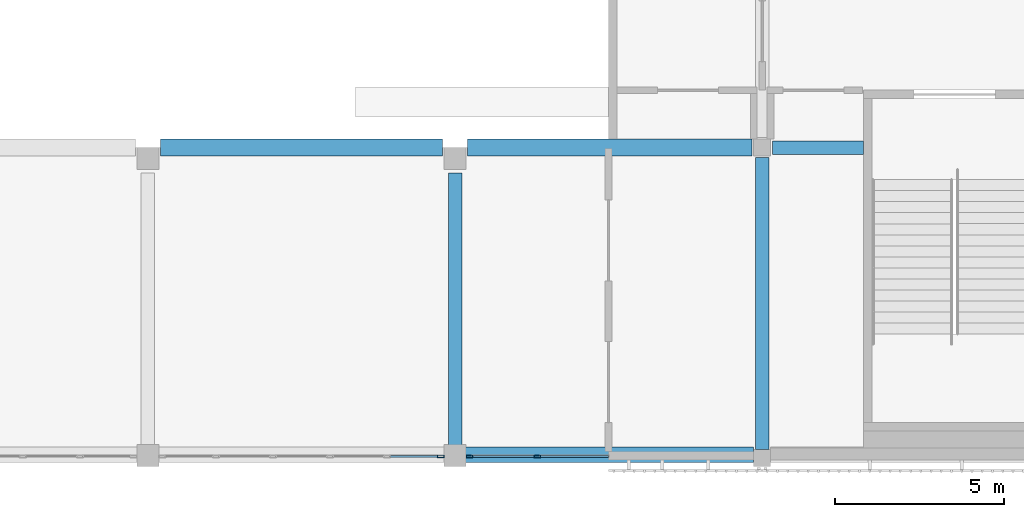
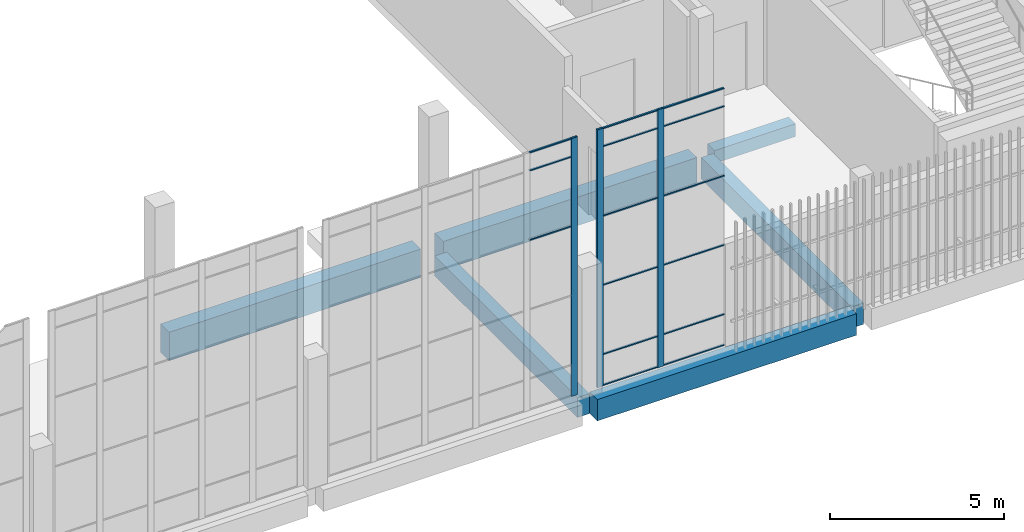
# One storey, part 14 of 91: 18 members, 6 beams, 2 elements without a shape of their own.
"""IFC4 building model written with IfcOpenShell, lengths in metres."""

import ifcopenshell
import ifcopenshell.guid

model = None  # the IFC model being written
_history = None  # IfcOwnerHistory: only IFC2X3 demands one
_inside = {}  # id of a spatial element -> (the spatial element, [elements in it])
_under = {}  # id of a project, library or spatial element -> (it, [spatial elements below it])
_declared = {}  # id of a project -> (the project, [libraries it declares])
_typed = {}  # id of a type object -> (the type object, [elements of that type])
_made_of = {}  # id of a material, layer set ... -> (it, [elements and type objects made of it])


def new_model(schema):
    """Start an empty IFC model of exactly this schema.

    Asked for "IFC4X3", IfcOpenShell would pick the latest addendum, in which some entities
    have other attributes; the version numbers below select the first issue.
    IFC2X3 requires an IfcOwnerHistory on every rooted entity: one is made here for all.
    """
    global model, _history
    if schema == "IFC4X3":
        model = ifcopenshell.file(schema_version=(4, 3, 0, 0))
    else:
        model = ifcopenshell.file(schema=schema)
    _inside.clear()
    _under.clear()
    _declared.clear()
    _typed.clear()
    _made_of.clear()
    _history = None
    if model.schema == "IFC2X3":
        org = make("IfcOrganization", Name="unknown")
        user = make(
            "IfcPersonAndOrganization",
            ThePerson=make("IfcPerson", FamilyName="unknown"),
            TheOrganization=org,
        )
        app = make(
            "IfcApplication",
            ApplicationDeveloper=org,
            Version="unknown",
            ApplicationFullName="unknown",
            ApplicationIdentifier="unknown",
        )
        _history = make(
            "IfcOwnerHistory",
            OwningUser=user,
            OwningApplication=app,
            ChangeAction="ADDED",
            CreationDate=0,
        )
    return model


def make(cls, **values):
    """One entity of the class cls with the attributes given. An attribute that is None is left unset."""
    return model.create_entity(
        cls, **{name: value for name, value in values.items() if value is not None}
    )


def rooted(cls, **values):
    """An entity with a GlobalId (a new one), such as an element, a storey or a relation."""
    return make(cls, GlobalId=ifcopenshell.guid.new(), OwnerHistory=_history, **values)


def si_unit(unit_type, name, prefix=None):
    """IfcSIUnit, for example si_unit("LENGTHUNIT", "METRE", prefix="MILLI")."""
    return make("IfcSIUnit", UnitType=unit_type, Prefix=prefix, Name=name)


def assignment(units):
    """IfcUnitAssignment: the units of a project."""
    return None if units is None else make("IfcUnitAssignment", Units=units)


def point(xyz):
    """IfcCartesianPoint."""
    return None if xyz is None else make("IfcCartesianPoint", Coordinates=xyz)


def direction(xyz):
    """IfcDirection."""
    return None if xyz is None else make("IfcDirection", DirectionRatios=xyz)


def frame(location, z_axis=None, x_axis=None):
    """IfcAxis2Placement3D, a coordinate frame: its origin and axes. An axis left out is left unset."""
    return make(
        "IfcAxis2Placement3D",
        Location=point(location),
        Axis=direction(z_axis),
        RefDirection=direction(x_axis),
    )


def frame_2d(location, x_axis=None):
    """IfcAxis2Placement2D, a coordinate frame in the plane: its origin and x axis."""
    return make(
        "IfcAxis2Placement2D", Location=point(location), RefDirection=direction(x_axis)
    )


def origin():
    """The frame at (0, 0, 0) with its axes left unset."""
    return frame((0.0, 0.0, 0.0))


def origin_2d():
    """The frame at (0, 0) in the plane with its x axis left unset."""
    return frame_2d((0.0, 0.0))


def place(relative_to, where):
    """IfcLocalPlacement: puts the frame where relative to a parent placement (None: the world)."""
    return make(
        "IfcLocalPlacement", PlacementRelTo=relative_to, RelativePlacement=where
    )


def context(
    kind, dimensions, precision=None, world=None, true_north=None, identifier=None
):
    """IfcGeometricRepresentationContext, for example the 3D "Model" context."""
    return make(
        "IfcGeometricRepresentationContext",
        ContextIdentifier=identifier,
        ContextType=kind,
        CoordinateSpaceDimension=dimensions,
        Precision=precision,
        WorldCoordinateSystem=world,
        TrueNorth=true_north,
    )


def subcontext(parent, identifier, kind, view, scale=None):
    """IfcGeometricRepresentationSubContext, for example "Body" below "Model"."""
    return make(
        "IfcGeometricRepresentationSubContext",
        ContextIdentifier=identifier,
        ContextType=kind,
        ParentContext=parent,
        TargetScale=scale,
        TargetView=view,
    )


def project(units=None, contexts=None):
    """IfcProject with its units and contexts."""
    return rooted(
        "IfcProject",
        Name="project",
        RepresentationContexts=contexts,
        UnitsInContext=assignment(units),
    )


def spatial(cls, under=None, at=None, **own):
    """A site, building, storey or space (cls), placed at a placement, below another one or the project."""
    s = rooted(cls, ObjectPlacement=at, **own)
    if under is not None:
        _under.setdefault(under.id(), (under, []))[1].append(s)
    return s


def profile(cls, at=None, kind="AREA", **sizes):
    """A parametric profile (cls). Its sizes go by their IFC names, for example OverallWidth=200.0."""
    return make(cls, ProfileType=kind, Position=at, **sizes)


def rectangle(**sizes):
    """IfcRectangleProfileDef."""
    return profile("IfcRectangleProfileDef", **sizes)


def hollow_rectangle(**sizes):
    """IfcRectangleHollowProfileDef."""
    return profile("IfcRectangleHollowProfileDef", **sizes)


def extrude(swept, where, along, depth):
    """IfcExtrudedAreaSolid: the profile swept, set in the frame where, extruded along a direction by depth."""
    return make(
        "IfcExtrudedAreaSolid",
        SweptArea=swept,
        Position=where,
        ExtrudedDirection=direction(along),
        Depth=depth,
    )


def shape(context_of_items, identifier, shape_type, items):
    """IfcShapeRepresentation: the items that make up one representation, for example the "Body"."""
    return make(
        "IfcShapeRepresentation",
        ContextOfItems=context_of_items,
        RepresentationIdentifier=identifier,
        RepresentationType=shape_type,
        Items=items,
    )


def material(Name=None, Category=None):
    """IfcMaterial."""
    return make("IfcMaterial", Name=Name, Category=Category)


def layer(
    of_material, thickness, ventilated=None, Name=None, Category=None, Priority=None
):
    """IfcMaterialLayer: one layer of a wall or slab, of a material (None: an air gap)."""
    return make(
        "IfcMaterialLayer",
        Material=of_material,
        LayerThickness=thickness,
        IsVentilated=ventilated,
        Name=Name,
        Category=Category,
        Priority=Priority,
    )


def layer_set(layers, Name=None):
    """IfcMaterialLayerSet."""
    return make("IfcMaterialLayerSet", MaterialLayers=layers, LayerSetName=Name)


def material_profile(
    of_material, cross_section, Name=None, Category=None, Priority=None
):
    """IfcMaterialProfile: a cross section and its material."""
    return make(
        "IfcMaterialProfile",
        Name=Name,
        Material=of_material,
        Profile=cross_section,
        Priority=Priority,
        Category=Category,
    )


def profile_set(profiles, Name=None, composite=None):
    """IfcMaterialProfileSet."""
    return make(
        "IfcMaterialProfileSet",
        Name=Name,
        MaterialProfiles=profiles,
        CompositeProfile=composite,
    )


def made_of(thing, what):
    """Note that an element or type object is made of a material, layer set ...; save() writes the relation."""
    if what is not None:
        _made_of.setdefault(what.id(), (what, []))[1].append(thing)
    return thing


def type_object(cls, material=None, **own):
    """A type object (cls), such as IfcWallType, which elements share."""
    return made_of(rooted(cls, **own), material)


def element(
    cls,
    number,
    at=None,
    inside=None,
    cuts=None,
    type_object=None,
    material=None,
    context=None,
    identifier="Body",
    shape_type=None,
    held_by="IfcProductDefinitionShape",
    body=None,
    shapes=None,
    **own,
):
    """One element of the class cls, such as IfcWall. Its Tag is "e" and its number.

    at: its placement. inside: the storey or other place that contains it. cuts: it is an
    opening in that element (IfcRelVoidsElement). A single representation is given by context,
    identifier, shape_type and body (its items); several are given by shapes. held_by: the class
    of the entity that holds the representations. save() writes the other relations.
    """
    e = rooted(cls, Tag="e%d" % number, ObjectPlacement=at, **own)
    if body is not None:
        shapes = [shape(context, identifier, shape_type, body)]
    if shapes is not None:
        e.Representation = make(held_by, Representations=shapes)
    if inside is not None:
        _inside.setdefault(inside.id(), (inside, []))[1].append(e)
    if cuts is not None:
        rooted(
            "IfcRelVoidsElement", RelatingBuildingElement=cuts, RelatedOpeningElement=e
        )
    if type_object is not None:
        _typed.setdefault(type_object.id(), (type_object, []))[1].append(e)
    return made_of(e, material)


def aggregate(whole, parts):
    """IfcRelAggregates: a whole, such as a stair, and the parts it consists of."""
    return rooted("IfcRelAggregates", RelatingObject=whole, RelatedObjects=parts)


def save(model, path):
    """Write the relations noted so far, then the file.

    IfcRelAggregates (storeys below a building ...), IfcRelContainedInSpatialStructure (elements
    in a storey), IfcRelDefinesByType, IfcRelAssociatesMaterial and IfcRelDeclares: one each for
    every whole, place, type object, material and project.
    """
    for whole, parts in _under.values():
        aggregate(whole, parts)
    for where, things in _inside.values():
        rooted(
            "IfcRelContainedInSpatialStructure",
            RelatedElements=things,
            RelatingStructure=where,
        )
    for kind, things in _typed.values():
        rooted("IfcRelDefinesByType", RelatedObjects=things, RelatingType=kind)
    for what, things in _made_of.values():
        rooted("IfcRelAssociatesMaterial", RelatedObjects=things, RelatingMaterial=what)
    for by, libraries in _declared.values():
        rooted("IfcRelDeclares", RelatingContext=by, RelatedDefinitions=libraries)
    model.write(path)


model = new_model("IFC4")

# Units and contexts
model_context = context("Model", 3, precision=1e-05, world=origin(), true_north=direction((0.0, 1.0)))
body_context = subcontext(model_context, "Body", "Model", "MODEL_VIEW")
ifc_project = project(units=[si_unit("LENGTHUNIT", "METRE"), si_unit("AREAUNIT", "SQUARE_METRE"), si_unit("VOLUMEUNIT", "CUBIC_METRE"), si_unit("PLANEANGLEUNIT", "RADIAN"), si_unit("MASSUNIT", "GRAM", prefix="KILO")], contexts=[model_context])

# Site, building, storey
site_placement = place(None, origin())
site = spatial("IfcSite", under=ifc_project, at=site_placement, CompositionType="ELEMENT")
building_placement = place(site_placement, origin())
building = spatial("IfcBuilding", under=site, at=building_placement, Name="Shirokan Park Arena", CompositionType="ELEMENT")
storey_placement = place(building_placement, frame((0.0, 0.0, 24.570068359375)))
storey = spatial("IfcBuildingStorey", under=building, at=storey_placement, Name="L05", CompositionType="ELEMENT", Elevation=24.570068359375)

# Curtain wall, member
ifc_material_1 = material(Name="Steel and glass curtain wall", Category="steel")
ifc_layer = layer(ifc_material_1, 0.199951171875)
ifc_layer_set = layer_set([ifc_layer], Name="Steel and glass curtain wall 200 mm")
curtain_wall_type = type_object("IfcCurtainWallType", Name="Curtain wall hall bay 200", PredefinedType="NOTDEFINED", material=ifc_layer_set)
curtain_wall_1_placement = place(storey_placement, origin())
curtain_wall_1 = element("IfcCurtainWall", 1, at=curtain_wall_1_placement, inside=storey, type_object=curtain_wall_type, Name="Curtain wall south bay 11 L05", PredefinedType="NOTDEFINED")
ifc_material_2 = material(Name="Steel S355", Category="steel")
ifc_material_profile_1 = material_profile(ifc_material_2, hollow_rectangle(XDim=0.080078125, YDim=0.199951171875, WallThickness=0.008056640625, at=origin_2d()), Name="RHS 200x80x8")
ifc_profile_set_1 = profile_set([ifc_material_profile_1], Name="Steel S355")
member_type_1 = type_object("IfcMemberType", Name="Mullion RHS 200x80x8", PredefinedType="MULLION", material=ifc_profile_set_1)
member_1_placement = place(storey_placement, frame((99.675048828125, -0.050048828125, 0.0), z_axis=(0.0, 0.0, 1.0), x_axis=(0.0, 1.0, 0.0)))
member_1 = element("IfcMember", 2, at=member_1_placement, type_object=member_type_1, Name="CW5 mullion 6", PredefinedType="MULLION", context=body_context, shape_type="SweptSolid", body=[
    extrude(hollow_rectangle(XDim=0.080078125, YDim=0.199951171875, WallThickness=0.008056640625, at=origin_2d()), origin(), (0.0, 0.0, 1.0), 9.050048828125),
])

# Curtain wall, members
curtain_wall_2_placement = place(storey_placement, origin())
curtain_wall_2 = element("IfcCurtainWall", 3, at=curtain_wall_2_placement, inside=storey, type_object=curtain_wall_type, Name="Curtain wall south bay 12 L05", PredefinedType="NOTDEFINED")
member_2_placement = place(storey_placement, frame((100.52490234375, -0.050048828125, 0.0), z_axis=(0.0, 0.0, 1.0), x_axis=(0.0, 1.0, 0.0)))
member_2 = element("IfcMember", 4, at=member_2_placement, type_object=member_type_1, Name="CW5 mullion 1", PredefinedType="MULLION", context=body_context, shape_type="SweptSolid", body=[
    extrude(hollow_rectangle(XDim=0.080078125, YDim=0.199951171875, WallThickness=0.008056640625, at=origin_2d()), origin(), (0.0, 0.0, 1.0), 9.050048828125),
])
member_3_placement = place(storey_placement, frame((102.53759765625, -0.050048828125, 0.0), z_axis=(0.0, 0.0, 1.0), x_axis=(0.0, 1.0, 0.0)))
member_3 = element("IfcMember", 5, at=member_3_placement, type_object=member_type_1, Name="CW5 mullion 2", PredefinedType="MULLION", context=body_context, shape_type="SweptSolid", body=[
    extrude(hollow_rectangle(XDim=0.080078125, YDim=0.199951171875, WallThickness=0.008056640625, at=origin_2d()), origin(), (0.0, 0.0, 1.0), 9.050048828125),
])

# Beams
ifc_material_3 = material(Name="Concrete C35", Category="concrete")
ifc_material_profile_2 = material_profile(ifc_material_3, rectangle(XDim=0.39990234375, YDim=0.699951171875, at=origin_2d()), Name="400x700")
ifc_profile_set_2 = profile_set([ifc_material_profile_2], Name="Concrete C35")
beam_type_1 = type_object("IfcBeamType", Name="RC girder 400x700", PredefinedType="BEAM", material=ifc_profile_set_2)
beam_1_placement = place(storey_placement, frame((100.10009765625, 0.150146484375, -0.650146484375), z_axis=(0.0, 1.0, 0.0), x_axis=(-1.0, 0.0, 0.0)))
element("IfcBeam", 6, at=beam_1_placement, inside=storey, type_object=beam_type_1, Name="Girder 12A-12B L05", PredefinedType="BEAM", context=body_context, shape_type="SweptSolid", body=[
    extrude(rectangle(XDim=0.39990234375, YDim=0.699951171875, at=origin_2d()), origin(), (0.0, 0.0, 1.0), 8.19970703125),
])
ifc_material_profile_3 = material_profile(ifc_material_3, rectangle(XDim=0.39990234375, YDim=0.75, at=origin_2d()), Name="400x750")
ifc_profile_set_3 = profile_set([ifc_material_profile_3], Name="Concrete C35")
beam_type_2 = type_object("IfcBeamType", Name="RC girder 400x750", PredefinedType="BEAM", material=ifc_profile_set_3)
beam_2_placement = place(storey_placement, frame((109.199951171875, 0.150146484375, -0.675048828125), z_axis=(0.0, 1.0, 0.0), x_axis=(-1.0, 0.0, 0.0)))
element("IfcBeam", 7, at=beam_2_placement, inside=storey, type_object=beam_type_2, Name="Girder 13A-13B L05", PredefinedType="BEAM", context=body_context, shape_type="SweptSolid", body=[
    extrude(rectangle(XDim=0.39990234375, YDim=0.75, at=origin_2d()), origin(), (0.0, 0.0, 1.0), 8.649658203125),
])
ifc_material_profile_4 = material_profile(ifc_material_3, rectangle(XDim=0.449951171875, YDim=0.75, at=origin_2d()), Name="450x750")
ifc_profile_set_4 = profile_set([ifc_material_profile_4], Name="Concrete C35")
beam_type_3 = type_object("IfcBeamType", Name="RC girder 450x750", PredefinedType="BEAM", material=ifc_profile_set_4)
beam_3_placement = place(storey_placement, frame((100.35009765625, 0.0, -0.675048828125), z_axis=(1.0, 0.0, 0.0), x_axis=(0.0, 1.0, 0.0)))
element("IfcBeam", 8, at=beam_3_placement, inside=storey, type_object=beam_type_3, Name="Girder 12A-13A L05", PredefinedType="BEAM", context=body_context, shape_type="SweptSolid", body=[
    extrude(rectangle(XDim=0.449951171875, YDim=0.75, at=origin_2d()), origin(), (0.0, 0.0, 1.0), 8.599853515625),
])
ifc_material_profile_5 = material_profile(ifc_material_3, rectangle(XDim=0.5, YDim=1.0, at=origin_2d()), Name="500x1000")
ifc_profile_set_5 = profile_set([ifc_material_profile_5], Name="Concrete C35")
beam_type_4 = type_object("IfcBeamType", Name="RC girder 500x1000", PredefinedType="BEAM", material=ifc_profile_set_5)
beam_4_placement = place(storey_placement, frame((91.375, 9.10009765625, -0.800048828125), z_axis=(1.0, 0.0, 0.0), x_axis=(0.0, 1.0, 0.0)))
element("IfcBeam", 9, at=beam_4_placement, inside=storey, type_object=beam_type_4, Name="Girder 11B-12B L05", PredefinedType="BEAM", context=body_context, shape_type="SweptSolid", body=[
    extrude(rectangle(XDim=0.5, YDim=1.0, at=origin_2d()), origin(), (0.0, 0.0, 1.0), 8.349853515625),
])
beam_5_placement = place(storey_placement, frame((100.47509765625, 9.10009765625, -0.800048828125), z_axis=(1.0, 0.0, 0.0), x_axis=(0.0, 1.0, 0.0)))
element("IfcBeam", 10, at=beam_5_placement, inside=storey, type_object=beam_type_4, Name="Girder 12B-13B L05", PredefinedType="BEAM", context=body_context, shape_type="SweptSolid", body=[
    extrude(rectangle(XDim=0.5, YDim=1.0, at=origin_2d()), origin(), (0.0, 0.0, 1.0), 8.4248046875),
])
ifc_material_profile_6 = material_profile(ifc_material_3, rectangle(XDim=0.39990234375, YDim=0.449951171875, at=origin_2d()), Name="400x450")
ifc_profile_set_6 = profile_set([ifc_material_profile_6], Name="Concrete C35")
beam_type_5 = type_object("IfcBeamType", Name="RC trimmer 400x450", PredefinedType="BEAM", material=ifc_profile_set_6)
beam_6_placement = place(storey_placement, frame((109.5, 9.10009765625, -0.525146484375), z_axis=(1.0, 0.0, 0.0), x_axis=(0.0, 1.0, 0.0)))
element("IfcBeam", 11, at=beam_6_placement, inside=storey, type_object=beam_type_5, Name="Girder 13B-14B L05", PredefinedType="BEAM", context=body_context, shape_type="SweptSolid", body=[
    extrude(rectangle(XDim=0.39990234375, YDim=0.449951171875, at=origin_2d()), origin(), (0.0, 0.0, 1.0), 2.699951171875),
])

# Member
ifc_material_profile_7 = material_profile(ifc_material_2, hollow_rectangle(XDim=0.06005859375, YDim=0.0400390625, WallThickness=0.00390625, at=origin_2d()), Name="RHS 60x40x4")
ifc_profile_set_7 = profile_set([ifc_material_profile_7], Name="Steel S355")
member_type_2 = type_object("IfcMemberType", Name="Transom RHS 60x40x4", PredefinedType="MULLION", material=ifc_profile_set_7)
member_4_placement = place(storey_placement, frame((98.18505859375, -0.050048828125, 5.966552734375), z_axis=(1.0, 0.0, 0.0), x_axis=(0.0, 1.0, 0.0)))
member_4 = element("IfcMember", 12, at=member_4_placement, type_object=member_type_2, Name="CW5 transom 5.4", PredefinedType="MULLION", context=body_context, shape_type="SweptSolid", body=[
    extrude(hollow_rectangle(XDim=0.06005859375, YDim=0.0400390625, WallThickness=0.00390625, at=origin_2d()), origin(), (0.0, 0.0, 1.0), 1.389892578125),
])

member_5_placement = place(storey_placement, frame((98.18505859375, -0.050048828125, 8.39990234375), z_axis=(1.0, 0.0, 0.0), x_axis=(0.0, 1.0, 0.0)))
member_5 = element("IfcMember", 13, at=member_5_placement, type_object=member_type_2, Name="CW5 transom 5.5", PredefinedType="MULLION", context=body_context, shape_type="SweptSolid", body=[
    extrude(hollow_rectangle(XDim=0.06005859375, YDim=0.0400390625, WallThickness=0.00390625, at=origin_2d()), origin(), (0.0, 0.0, 1.0), 1.389892578125),
])

member_6_placement = place(storey_placement, frame((98.18505859375, -0.050048828125, 9.030029296875), z_axis=(1.0, 0.0, 0.0), x_axis=(0.0, 1.0, 0.0)))
member_6 = element("IfcMember", 14, at=member_6_placement, type_object=member_type_2, Name="CW5 transom 5.6", PredefinedType="MULLION", context=body_context, shape_type="SweptSolid", body=[
    extrude(hollow_rectangle(XDim=0.06005859375, YDim=0.0400390625, WallThickness=0.00390625, at=origin_2d()), origin(), (0.0, 0.0, 1.0), 1.389892578125),
])

aggregate(curtain_wall_1, [member_1, member_4, member_5, member_6])

member_7_placement = place(storey_placement, frame((100.625, -0.050048828125, 0.02001953125), z_axis=(1.0, 0.0, 0.0), x_axis=(0.0, 1.0, 0.0)))
member_7 = element("IfcMember", 15, at=member_7_placement, type_object=member_type_2, Name="CW5 transom 1.1", PredefinedType="MULLION", context=body_context, shape_type="SweptSolid", body=[
    extrude(hollow_rectangle(XDim=0.06005859375, YDim=0.0400390625, WallThickness=0.00390625, at=origin_2d()), origin(), (0.0, 0.0, 1.0), 1.8125),
])

member_8_placement = place(storey_placement, frame((100.625, -0.050048828125, 1.099853515625), z_axis=(1.0, 0.0, 0.0), x_axis=(0.0, 1.0, 0.0)))
member_8 = element("IfcMember", 16, at=member_8_placement, type_object=member_type_2, Name="CW5 transom 1.2", PredefinedType="MULLION", context=body_context, shape_type="SweptSolid", body=[
    extrude(hollow_rectangle(XDim=0.06005859375, YDim=0.0400390625, WallThickness=0.00390625, at=origin_2d()), origin(), (0.0, 0.0, 1.0), 1.8125),
])

member_9_placement = place(storey_placement, frame((100.625, -0.050048828125, 3.533203125), z_axis=(1.0, 0.0, 0.0), x_axis=(0.0, 1.0, 0.0)))
member_9 = element("IfcMember", 17, at=member_9_placement, type_object=member_type_2, Name="CW5 transom 1.3", PredefinedType="MULLION", context=body_context, shape_type="SweptSolid", body=[
    extrude(hollow_rectangle(XDim=0.06005859375, YDim=0.0400390625, WallThickness=0.00390625, at=origin_2d()), origin(), (0.0, 0.0, 1.0), 1.8125),
])

member_10_placement = place(storey_placement, frame((100.625, -0.050048828125, 5.966552734375), z_axis=(1.0, 0.0, 0.0), x_axis=(0.0, 1.0, 0.0)))
member_10 = element("IfcMember", 18, at=member_10_placement, type_object=member_type_2, Name="CW5 transom 1.4", PredefinedType="MULLION", context=body_context, shape_type="SweptSolid", body=[
    extrude(hollow_rectangle(XDim=0.06005859375, YDim=0.0400390625, WallThickness=0.00390625, at=origin_2d()), origin(), (0.0, 0.0, 1.0), 1.8125),
])

member_11_placement = place(storey_placement, frame((100.625, -0.050048828125, 8.39990234375), z_axis=(1.0, 0.0, 0.0), x_axis=(0.0, 1.0, 0.0)))
member_11 = element("IfcMember", 19, at=member_11_placement, type_object=member_type_2, Name="CW5 transom 1.5", PredefinedType="MULLION", context=body_context, shape_type="SweptSolid", body=[
    extrude(hollow_rectangle(XDim=0.06005859375, YDim=0.0400390625, WallThickness=0.00390625, at=origin_2d()), origin(), (0.0, 0.0, 1.0), 1.8125),
])

member_12_placement = place(storey_placement, frame((100.625, -0.050048828125, 9.030029296875), z_axis=(1.0, 0.0, 0.0), x_axis=(0.0, 1.0, 0.0)))
member_12 = element("IfcMember", 20, at=member_12_placement, type_object=member_type_2, Name="CW5 transom 1.6", PredefinedType="MULLION", context=body_context, shape_type="SweptSolid", body=[
    extrude(hollow_rectangle(XDim=0.06005859375, YDim=0.0400390625, WallThickness=0.00390625, at=origin_2d()), origin(), (0.0, 0.0, 1.0), 1.8125),
])

member_13_placement = place(storey_placement, frame((102.637451171875, -0.050048828125, 0.02001953125), z_axis=(1.0, 0.0, 0.0), x_axis=(0.0, 1.0, 0.0)))
member_13 = element("IfcMember", 21, at=member_13_placement, type_object=member_type_2, Name="CW5 transom 2.1", PredefinedType="MULLION", context=body_context, shape_type="SweptSolid", body=[
    extrude(hollow_rectangle(XDim=0.06005859375, YDim=0.0400390625, WallThickness=0.00390625, at=origin_2d()), origin(), (0.0, 0.0, 1.0), 2.012451171875),
])

member_14_placement = place(storey_placement, frame((102.637451171875, -0.050048828125, 1.099853515625), z_axis=(1.0, 0.0, 0.0), x_axis=(0.0, 1.0, 0.0)))
member_14 = element("IfcMember", 22, at=member_14_placement, type_object=member_type_2, Name="CW5 transom 2.2", PredefinedType="MULLION", context=body_context, shape_type="SweptSolid", body=[
    extrude(hollow_rectangle(XDim=0.06005859375, YDim=0.0400390625, WallThickness=0.00390625, at=origin_2d()), origin(), (0.0, 0.0, 1.0), 2.012451171875),
])

member_15_placement = place(storey_placement, frame((102.637451171875, -0.050048828125, 3.533203125), z_axis=(1.0, 0.0, 0.0), x_axis=(0.0, 1.0, 0.0)))
member_15 = element("IfcMember", 23, at=member_15_placement, type_object=member_type_2, Name="CW5 transom 2.3", PredefinedType="MULLION", context=body_context, shape_type="SweptSolid", body=[
    extrude(hollow_rectangle(XDim=0.06005859375, YDim=0.0400390625, WallThickness=0.00390625, at=origin_2d()), origin(), (0.0, 0.0, 1.0), 2.012451171875),
])

member_16_placement = place(storey_placement, frame((102.637451171875, -0.050048828125, 5.966552734375), z_axis=(1.0, 0.0, 0.0), x_axis=(0.0, 1.0, 0.0)))
member_16 = element("IfcMember", 24, at=member_16_placement, type_object=member_type_2, Name="CW5 transom 2.4", PredefinedType="MULLION", context=body_context, shape_type="SweptSolid", body=[
    extrude(hollow_rectangle(XDim=0.06005859375, YDim=0.0400390625, WallThickness=0.00390625, at=origin_2d()), origin(), (0.0, 0.0, 1.0), 2.012451171875),
])

member_17_placement = place(storey_placement, frame((102.637451171875, -0.050048828125, 8.39990234375), z_axis=(1.0, 0.0, 0.0), x_axis=(0.0, 1.0, 0.0)))
member_17 = element("IfcMember", 25, at=member_17_placement, type_object=member_type_2, Name="CW5 transom 2.5", PredefinedType="MULLION", context=body_context, shape_type="SweptSolid", body=[
    extrude(hollow_rectangle(XDim=0.06005859375, YDim=0.0400390625, WallThickness=0.00390625, at=origin_2d()), origin(), (0.0, 0.0, 1.0), 2.012451171875),
])

member_18_placement = place(storey_placement, frame((102.637451171875, -0.050048828125, 9.030029296875), z_axis=(1.0, 0.0, 0.0), x_axis=(0.0, 1.0, 0.0)))
member_18 = element("IfcMember", 26, at=member_18_placement, type_object=member_type_2, Name="CW5 transom 2.6", PredefinedType="MULLION", context=body_context, shape_type="SweptSolid", body=[
    extrude(hollow_rectangle(XDim=0.06005859375, YDim=0.0400390625, WallThickness=0.00390625, at=origin_2d()), origin(), (0.0, 0.0, 1.0), 2.012451171875),
])

aggregate(curtain_wall_2, [member_2, member_3, member_7, member_8, member_9, member_10, member_11, member_12, member_13, member_14, member_15, member_16, member_17, member_18])

save(model, "model.ifc")
